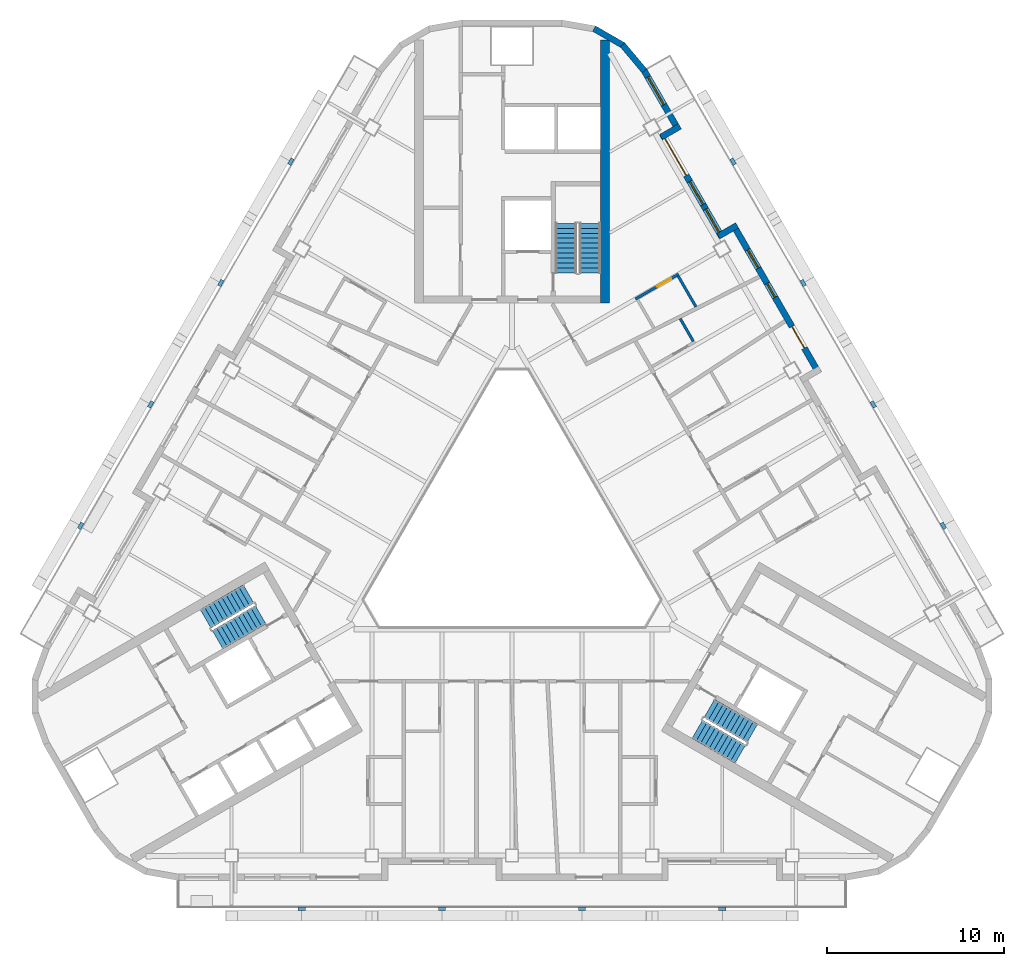
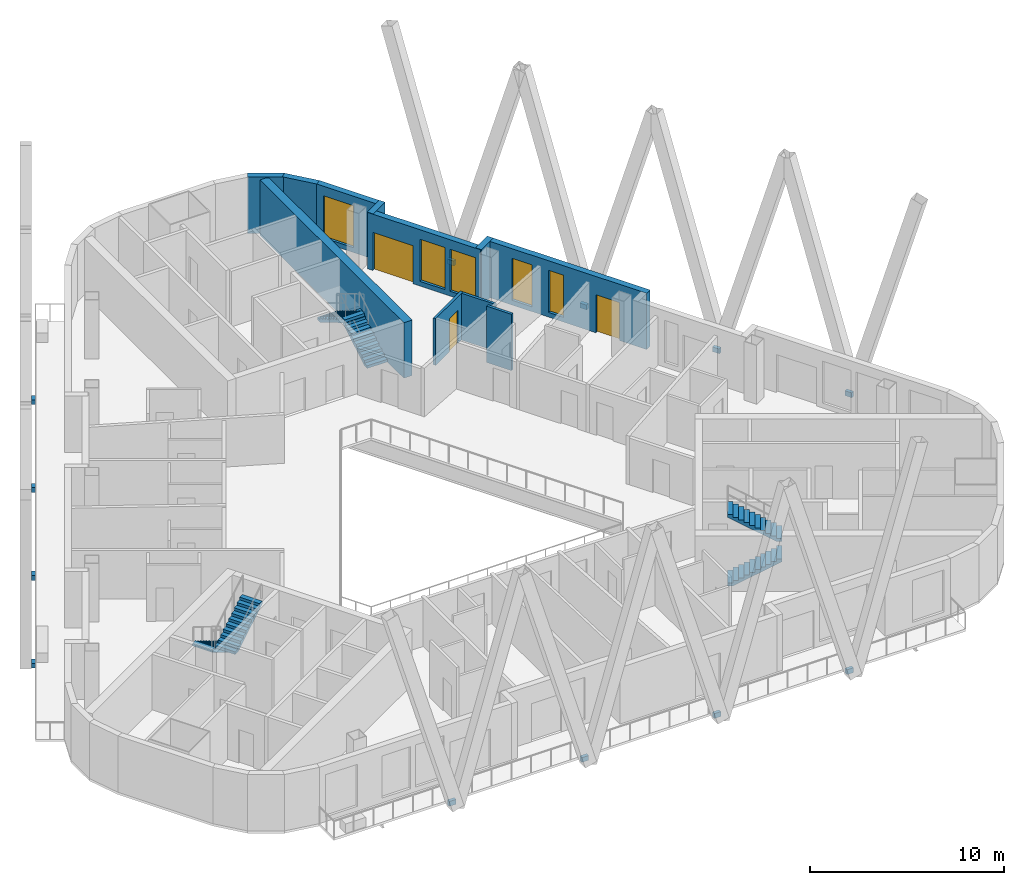
# One storey, part 8 of 14: 12 discrete accessories, 11 walls, 6 stair flights, 5 windows, 3 doors, 8 openings, 3 elements without a shape of their own.
"""IFC4 building model written with IfcOpenShell, lengths in metres."""

import ifcopenshell
import ifcopenshell.guid

model = None  # the IFC model being written
_history = None  # IfcOwnerHistory: only IFC2X3 demands one
_inside = {}  # id of a spatial element -> (the spatial element, [elements in it])
_under = {}  # id of a project, library or spatial element -> (it, [spatial elements below it])
_declared = {}  # id of a project -> (the project, [libraries it declares])
_typed = {}  # id of a type object -> (the type object, [elements of that type])
_made_of = {}  # id of a material, layer set ... -> (it, [elements and type objects made of it])


def new_model(schema):
    """Start an empty IFC model of exactly this schema.

    Asked for "IFC4X3", IfcOpenShell would pick the latest addendum, in which some entities
    have other attributes; the version numbers below select the first issue.
    IFC2X3 requires an IfcOwnerHistory on every rooted entity: one is made here for all.
    """
    global model, _history
    if schema == "IFC4X3":
        model = ifcopenshell.file(schema_version=(4, 3, 0, 0))
    else:
        model = ifcopenshell.file(schema=schema)
    _inside.clear()
    _under.clear()
    _declared.clear()
    _typed.clear()
    _made_of.clear()
    _history = None
    if model.schema == "IFC2X3":
        org = make("IfcOrganization", Name="unknown")
        user = make(
            "IfcPersonAndOrganization",
            ThePerson=make("IfcPerson", FamilyName="unknown"),
            TheOrganization=org,
        )
        app = make(
            "IfcApplication",
            ApplicationDeveloper=org,
            Version="unknown",
            ApplicationFullName="unknown",
            ApplicationIdentifier="unknown",
        )
        _history = make(
            "IfcOwnerHistory",
            OwningUser=user,
            OwningApplication=app,
            ChangeAction="ADDED",
            CreationDate=0,
        )
    return model


def make(cls, **values):
    """One entity of the class cls with the attributes given. An attribute that is None is left unset."""
    return model.create_entity(
        cls, **{name: value for name, value in values.items() if value is not None}
    )


def rooted(cls, **values):
    """An entity with a GlobalId (a new one), such as an element, a storey or a relation."""
    return make(cls, GlobalId=ifcopenshell.guid.new(), OwnerHistory=_history, **values)


def si_unit(unit_type, name, prefix=None):
    """IfcSIUnit, for example si_unit("LENGTHUNIT", "METRE", prefix="MILLI")."""
    return make("IfcSIUnit", UnitType=unit_type, Prefix=prefix, Name=name)


def assignment(units):
    """IfcUnitAssignment: the units of a project."""
    return None if units is None else make("IfcUnitAssignment", Units=units)


def point(xyz):
    """IfcCartesianPoint."""
    return None if xyz is None else make("IfcCartesianPoint", Coordinates=xyz)


def direction(xyz):
    """IfcDirection."""
    return None if xyz is None else make("IfcDirection", DirectionRatios=xyz)


def frame(location, z_axis=None, x_axis=None):
    """IfcAxis2Placement3D, a coordinate frame: its origin and axes. An axis left out is left unset."""
    return make(
        "IfcAxis2Placement3D",
        Location=point(location),
        Axis=direction(z_axis),
        RefDirection=direction(x_axis),
    )


def frame_2d(location, x_axis=None):
    """IfcAxis2Placement2D, a coordinate frame in the plane: its origin and x axis."""
    return make(
        "IfcAxis2Placement2D", Location=point(location), RefDirection=direction(x_axis)
    )


def origin():
    """The frame at (0, 0, 0) with its axes left unset."""
    return frame((0.0, 0.0, 0.0))


def origin_2d():
    """The frame at (0, 0) in the plane with its x axis left unset."""
    return frame_2d((0.0, 0.0))


def place(relative_to, where):
    """IfcLocalPlacement: puts the frame where relative to a parent placement (None: the world)."""
    return make(
        "IfcLocalPlacement", PlacementRelTo=relative_to, RelativePlacement=where
    )


def context(
    kind, dimensions, precision=None, world=None, true_north=None, identifier=None
):
    """IfcGeometricRepresentationContext, for example the 3D "Model" context."""
    return make(
        "IfcGeometricRepresentationContext",
        ContextIdentifier=identifier,
        ContextType=kind,
        CoordinateSpaceDimension=dimensions,
        Precision=precision,
        WorldCoordinateSystem=world,
        TrueNorth=true_north,
    )


def subcontext(parent, identifier, kind, view, scale=None):
    """IfcGeometricRepresentationSubContext, for example "Body" below "Model"."""
    return make(
        "IfcGeometricRepresentationSubContext",
        ContextIdentifier=identifier,
        ContextType=kind,
        ParentContext=parent,
        TargetScale=scale,
        TargetView=view,
    )


def project(units=None, contexts=None):
    """IfcProject with its units and contexts."""
    return rooted(
        "IfcProject",
        Name="project",
        RepresentationContexts=contexts,
        UnitsInContext=assignment(units),
    )


def spatial(cls, under=None, at=None, **own):
    """A site, building, storey or space (cls), placed at a placement, below another one or the project."""
    s = rooted(cls, ObjectPlacement=at, **own)
    if under is not None:
        _under.setdefault(under.id(), (under, []))[1].append(s)
    return s


def polyline(points):
    """IfcPolyline through the points."""
    return make("IfcPolyline", Points=[point(p) for p in points])


def profile(cls, at=None, kind="AREA", **sizes):
    """A parametric profile (cls). Its sizes go by their IFC names, for example OverallWidth=200.0."""
    return make(cls, ProfileType=kind, Position=at, **sizes)


def rectangle(**sizes):
    """IfcRectangleProfileDef."""
    return profile("IfcRectangleProfileDef", **sizes)


def outline(outer, holes=None, kind="AREA"):
    """IfcArbitraryClosedProfileDef: a profile drawn as a closed curve; with holes, ...WithVoids."""
    if holes is None:
        return make("IfcArbitraryClosedProfileDef", ProfileType=kind, OuterCurve=outer)
    return make(
        "IfcArbitraryProfileDefWithVoids",
        ProfileType=kind,
        OuterCurve=outer,
        InnerCurves=holes,
    )


def extrude(swept, where, along, depth):
    """IfcExtrudedAreaSolid: the profile swept, set in the frame where, extruded along a direction by depth."""
    return make(
        "IfcExtrudedAreaSolid",
        SweptArea=swept,
        Position=where,
        ExtrudedDirection=direction(along),
        Depth=depth,
    )


def shape(context_of_items, identifier, shape_type, items):
    """IfcShapeRepresentation: the items that make up one representation, for example the "Body"."""
    return make(
        "IfcShapeRepresentation",
        ContextOfItems=context_of_items,
        RepresentationIdentifier=identifier,
        RepresentationType=shape_type,
        Items=items,
    )


def material(Name=None, Category=None):
    """IfcMaterial."""
    return make("IfcMaterial", Name=Name, Category=Category)


def layer(
    of_material, thickness, ventilated=None, Name=None, Category=None, Priority=None
):
    """IfcMaterialLayer: one layer of a wall or slab, of a material (None: an air gap)."""
    return make(
        "IfcMaterialLayer",
        Material=of_material,
        LayerThickness=thickness,
        IsVentilated=ventilated,
        Name=Name,
        Category=Category,
        Priority=Priority,
    )


def layer_set(layers, Name=None):
    """IfcMaterialLayerSet."""
    return make("IfcMaterialLayerSet", MaterialLayers=layers, LayerSetName=Name)


def made_of(thing, what):
    """Note that an element or type object is made of a material, layer set ...; save() writes the relation."""
    if what is not None:
        _made_of.setdefault(what.id(), (what, []))[1].append(thing)
    return thing


def type_object(cls, material=None, **own):
    """A type object (cls), such as IfcWallType, which elements share."""
    return made_of(rooted(cls, **own), material)


def element(
    cls,
    number,
    at=None,
    inside=None,
    cuts=None,
    type_object=None,
    material=None,
    context=None,
    identifier="Body",
    shape_type=None,
    held_by="IfcProductDefinitionShape",
    body=None,
    shapes=None,
    **own,
):
    """One element of the class cls, such as IfcWall. Its Tag is "e" and its number.

    at: its placement. inside: the storey or other place that contains it. cuts: it is an
    opening in that element (IfcRelVoidsElement). A single representation is given by context,
    identifier, shape_type and body (its items); several are given by shapes. held_by: the class
    of the entity that holds the representations. save() writes the other relations.
    """
    e = rooted(cls, Tag="e%d" % number, ObjectPlacement=at, **own)
    if body is not None:
        shapes = [shape(context, identifier, shape_type, body)]
    if shapes is not None:
        e.Representation = make(held_by, Representations=shapes)
    if inside is not None:
        _inside.setdefault(inside.id(), (inside, []))[1].append(e)
    if cuts is not None:
        rooted(
            "IfcRelVoidsElement", RelatingBuildingElement=cuts, RelatedOpeningElement=e
        )
    if type_object is not None:
        _typed.setdefault(type_object.id(), (type_object, []))[1].append(e)
    return made_of(e, material)


def fill(opening, filler):
    """IfcRelFillsElement: the door or window that sits in an opening."""
    return rooted(
        "IfcRelFillsElement",
        RelatingOpeningElement=opening,
        RelatedBuildingElement=filler,
    )


def aggregate(whole, parts):
    """IfcRelAggregates: a whole, such as a stair, and the parts it consists of."""
    return rooted("IfcRelAggregates", RelatingObject=whole, RelatedObjects=parts)


def save(model, path):
    """Write the relations noted so far, then the file.

    IfcRelAggregates (storeys below a building ...), IfcRelContainedInSpatialStructure (elements
    in a storey), IfcRelDefinesByType, IfcRelAssociatesMaterial and IfcRelDeclares: one each for
    every whole, place, type object, material and project.
    """
    for whole, parts in _under.values():
        aggregate(whole, parts)
    for where, things in _inside.values():
        rooted(
            "IfcRelContainedInSpatialStructure",
            RelatedElements=things,
            RelatingStructure=where,
        )
    for kind, things in _typed.values():
        rooted("IfcRelDefinesByType", RelatedObjects=things, RelatingType=kind)
    for what, things in _made_of.values():
        rooted("IfcRelAssociatesMaterial", RelatedObjects=things, RelatingMaterial=what)
    for by, libraries in _declared.values():
        rooted("IfcRelDeclares", RelatingContext=by, RelatedDefinitions=libraries)
    model.write(path)


model = new_model("IFC4")

# Units and contexts
model_context = context("Model", 3, precision=1e-05, world=origin(), true_north=direction((0.0, 1.0)))
body_context = subcontext(model_context, "Body", "Model", "MODEL_VIEW")
ifc_project = project(units=[si_unit("LENGTHUNIT", "METRE"), si_unit("AREAUNIT", "SQUARE_METRE"), si_unit("VOLUMEUNIT", "CUBIC_METRE"), si_unit("PLANEANGLEUNIT", "RADIAN"), si_unit("MASSUNIT", "GRAM", prefix="KILO")], contexts=[model_context])

# Site, building, storey
site_placement = place(None, origin())
site = spatial("IfcSite", under=ifc_project, at=site_placement, CompositionType="ELEMENT")
building_placement = place(site_placement, origin())
building = spatial("IfcBuilding", under=site, at=building_placement, Name="Apuvela Tower Hotel", CompositionType="ELEMENT")
storey_placement = place(building_placement, frame((0.0, 0.0, 224.300048828125)))
storey = spatial("IfcBuildingStorey", under=building, at=storey_placement, Name="L55", CompositionType="ELEMENT", Elevation=224.300048828125)

# Wall
ifc_material_1 = material(Name="Concrete C50/60", Category="concrete")
ifc_layer_1 = layer(ifc_material_1, 0.5)
ifc_layer_set_1 = layer_set([ifc_layer_1], Name="COR-WALL-CORE-500")
wall_type_1 = type_object("IfcWallType", Name="COR-WALL-CORE-500", PredefinedType="SHEAR", material=ifc_layer_set_1)
wall_1_placement = place(storey_placement, frame((5.25, 12.89990234375, 0.0), z_axis=(0.0, 0.0, 1.0), x_axis=(0.0, 1.0, 0.0)))
element("IfcWall", 1, at=wall_1_placement, inside=storey, type_object=wall_type_1, Name="Core wall N", PredefinedType="SHEAR", context=body_context, shape_type="SweptSolid", body=[
    extrude(rectangle(XDim=14.8369140625, YDim=0.5, at=frame_2d((7.41845703125, 0.0))), origin(), (0.0, 0.0, 1.0), 3.5),
])

# Wall, openings, door, windows
ifc_material_2 = material(Name="Concrete C40/50, dark pigmented precast panel", Category="concrete")
ifc_layer_2 = layer(ifc_material_2, 0.35009765625)
ifc_layer_set_2 = layer_set([ifc_layer_2], Name="ENV-WALL-350")
wall_type_2 = type_object("IfcWallType", Name="ENV-WALL-350", PredefinedType="SOLIDWALL", material=ifc_layer_set_2)
wall_2_placement = place(storey_placement, frame((17.298583984375, 8.947998046875, 0.0), z_axis=(0.0, 0.0, 1.0), x_axis=(-0.500010041276, 0.866019606374, 0.0)))
wall_2 = element("IfcWall", 2, at=wall_2_placement, inside=storey, type_object=wall_type_2, Name="External wall L55-37", PredefinedType="SOLIDWALL", context=body_context, shape_type="SweptSolid", body=[
    extrude(rectangle(XDim=9.699951171875, YDim=0.35009765625, at=frame_2d((4.85009765625, 0.0))), origin(), (0.0, 0.0, 1.0), 3.550048828125),
])
opening_1_placement = place(wall_2_placement, frame((1.63720703125, 0.0, 0.0)))
opening_1 = element("IfcOpeningElement", 3, at=opening_1_placement, cuts=wall_2, Name="Opening BD14", PredefinedType="OPENING", context=body_context, shape_type="SweptSolid", body=[
    extrude(rectangle(XDim=1.39990234375, YDim=2.39990234375, at=frame_2d((0.699951171875, 1.199951171875))), frame((0.0, 0.18505859375, 0.0), z_axis=(0.0, -1.0, 0.0), x_axis=(1.0, 0.0, 0.0)), (0.0, 0.0, 1.0), 0.3701171875),
])
opening_2_placement = place(wall_2_placement, frame((4.94921875, 0.0, 0.300048828125)))
opening_2 = element("IfcOpeningElement", 4, at=opening_2_placement, cuts=wall_2, Name="Opening WN09", PredefinedType="OPENING", context=body_context, shape_type="SweptSolid", body=[
    extrude(rectangle(XDim=0.89990234375, YDim=2.64990234375, at=frame_2d((0.449951171875, 1.324951171875))), frame((0.0, 0.18505859375, 0.0), z_axis=(0.0, -1.0, 0.0), x_axis=(1.0, 0.0, 0.0)), (0.0, 0.0, 1.0), 0.3701171875),
])
opening_3_placement = place(wall_2_placement, frame((6.840087890625, 0.0, 0.300048828125)))
opening_3 = element("IfcOpeningElement", 5, at=opening_3_placement, cuts=wall_2, Name="Opening WN12", PredefinedType="OPENING", context=body_context, shape_type="SweptSolid", body=[
    extrude(rectangle(XDim=1.199951171875, YDim=2.64990234375, at=frame_2d((0.60009765625, 1.324951171875))), frame((0.0, 0.18505859375, 0.0), z_axis=(0.0, -1.0, 0.0), x_axis=(1.0, 0.0, 0.0)), (0.0, 0.0, 1.0), 0.3701171875),
])
ifc_material_3 = material(Name="Aluminium 6063-T6, dark bronze anodised frame with dark tinted laminated glass", Category="aluminium")
door_type_1 = type_object("IfcDoorType", Name="ENV-DOOR-BALCONY-1400x2400", OperationType="SLIDING_TO_LEFT", PredefinedType="DOOR", material=ifc_material_3)
door_1_placement = place(opening_1_placement, frame((1.39990234375, 0.0, 0.0), z_axis=(0.0, 0.0, 1.0), x_axis=(-1.0, 0.0, 0.0)))
door_1 = element("IfcDoor", 6, at=door_1_placement, inside=storey, type_object=door_type_1, Name="Balcony door BD14", OperationType="SLIDING_TO_LEFT", OverallHeight=2.39990234375, OverallWidth=1.39990234375, PredefinedType="DOOR", context=body_context, shape_type="SweptSolid", body=[
    extrude(rectangle(XDim=1.39990234375, YDim=2.39990234375, at=frame_2d((0.699951171875, 1.199951171875))), frame((0.0, 0.02490234375, 0.0), z_axis=(0.0, -1.0, 0.0), x_axis=(1.0, 0.0, 0.0)), (0.0, 0.0, 1.0), 0.050048828125),
])
fill(opening_1, door_1)
ifc_material_4 = material(Name="Glass, dark tinted laminated insulated glazing unit", Category="glass")
window_type_1 = type_object("IfcWindowType", Name="ENV-WIN-1200x2650", PartitioningType="SINGLE_PANEL", PredefinedType="WINDOW", material=ifc_material_4)
window_1_placement = place(opening_3_placement, origin())
window_1 = element("IfcWindow", 7, at=window_1_placement, inside=storey, type_object=window_type_1, Name="Window WN12", OverallHeight=2.64990234375, OverallWidth=1.199951171875, PartitioningType="SINGLE_PANEL", PredefinedType="WINDOW", context=body_context, shape_type="SweptSolid", body=[
    extrude(rectangle(XDim=1.199951171875, YDim=2.64990234375, at=frame_2d((0.60009765625, 1.324951171875))), frame((0.0, 0.030029296875, 0.0), z_axis=(0.0, -1.0, 0.0), x_axis=(1.0, 0.0, 0.0)), (0.0, 0.0, 1.0), 0.06005859375),
])
fill(opening_3, window_1)
window_type_2 = type_object("IfcWindowType", Name="ENV-WIN-900x2650", PartitioningType="SINGLE_PANEL", PredefinedType="WINDOW", material=ifc_material_4)
window_2_placement = place(opening_2_placement, origin())
window_2 = element("IfcWindow", 8, at=window_2_placement, inside=storey, type_object=window_type_2, Name="Window WN09", OverallHeight=2.64990234375, OverallWidth=0.89990234375, PartitioningType="SINGLE_PANEL", PredefinedType="WINDOW", context=body_context, shape_type="SweptSolid", body=[
    extrude(rectangle(XDim=0.89990234375, YDim=2.64990234375, at=frame_2d((0.449951171875, 1.324951171875))), frame((0.0, 0.030029296875, 0.0), z_axis=(0.0, -1.0, 0.0), x_axis=(1.0, 0.0, 0.0)), (0.0, 0.0, 1.0), 0.06005859375),
])
fill(opening_2, window_2)

# Wall
wall_3_placement = place(storey_placement, frame((12.6875, 17.284423828125, 0.0), z_axis=(0.0, 0.0, 1.0), x_axis=(-0.865955602162, -0.500120880472, 0.0)))
element("IfcWall", 9, at=wall_3_placement, inside=storey, type_object=wall_type_2, Name="External wall L55-38", PredefinedType="SOLIDWALL", context=body_context, shape_type="SweptSolid", body=[
    extrude(rectangle(XDim=1.219970703125, YDim=0.35009765625, at=frame_2d((0.60986328125, 0.0))), origin(), (0.0, 0.0, 1.0), 3.550048828125),
])

# Wall, openings, door, windows
wall_4_placement = place(storey_placement, frame((11.8291015625, 16.621337890625, 0.0), z_axis=(0.0, 0.0, 1.0), x_axis=(-0.500003597184, 0.866023326939, 0.0)))
wall_4 = element("IfcWall", 10, at=wall_4_placement, inside=storey, type_object=wall_type_2, Name="External wall L55-39", PredefinedType="SOLIDWALL", context=body_context, shape_type="SweptSolid", body=[
    extrude(rectangle(XDim=6.740234375, YDim=0.35009765625, at=frame_2d((3.3701171875, 0.0))), origin(), (0.0, 0.0, 1.0), 3.550048828125),
])
opening_4_placement = place(wall_4_placement, frame((4.01953125, 0.0, 0.0)))
opening_4 = element("IfcOpeningElement", 11, at=opening_4_placement, cuts=wall_4, Name="Opening BD24", PredefinedType="OPENING", context=body_context, shape_type="SweptSolid", body=[
    extrude(rectangle(XDim=2.39990234375, YDim=2.39990234375, at=frame_2d((1.199951171875, 1.199951171875))), frame((0.0, 0.18505859375, 0.0), z_axis=(0.0, -1.0, 0.0), x_axis=(1.0, 0.0, 0.0)), (0.0, 0.0, 1.0), 0.3701171875),
])
opening_5_placement = place(wall_4_placement, frame((0.320068359375, 0.0, 0.300048828125)))
opening_5 = element("IfcOpeningElement", 12, at=opening_5_placement, cuts=wall_4, Name="Opening WN15", PredefinedType="OPENING", context=body_context, shape_type="SweptSolid", body=[
    extrude(rectangle(XDim=1.5, YDim=2.64990234375, at=frame_2d((0.75, 1.324951171875))), frame((0.0, 0.18505859375, 0.0), z_axis=(0.0, -1.0, 0.0), x_axis=(1.0, 0.0, 0.0)), (0.0, 0.0, 1.0), 0.3701171875),
])
opening_6_placement = place(wall_4_placement, frame((2.1201171875, 0.0, 0.300048828125)))
opening_6 = element("IfcOpeningElement", 13, at=opening_6_placement, cuts=wall_4, Name="Opening WN15", PredefinedType="OPENING", context=body_context, shape_type="SweptSolid", body=[
    extrude(rectangle(XDim=1.5, YDim=2.64990234375, at=frame_2d((0.75, 1.324951171875))), frame((0.0, 0.18505859375, 0.0), z_axis=(0.0, -1.0, 0.0), x_axis=(1.0, 0.0, 0.0)), (0.0, 0.0, 1.0), 0.3701171875),
])
door_type_2 = type_object("IfcDoorType", Name="ENV-DOOR-BALCONY-2400x2400", OperationType="SLIDING_TO_LEFT", PredefinedType="DOOR", material=ifc_material_3)
door_2_placement = place(opening_4_placement, frame((2.39990234375, 0.0, 0.0), z_axis=(0.0, 0.0, 1.0), x_axis=(-1.0, 0.0, 0.0)))
door_2 = element("IfcDoor", 14, at=door_2_placement, inside=storey, type_object=door_type_2, Name="Balcony door BD24", OperationType="SLIDING_TO_LEFT", OverallHeight=2.39990234375, OverallWidth=2.39990234375, PredefinedType="DOOR", context=body_context, shape_type="SweptSolid", body=[
    extrude(rectangle(XDim=2.39990234375, YDim=2.39990234375, at=frame_2d((1.199951171875, 1.199951171875))), frame((0.0, 0.02490234375, 0.0), z_axis=(0.0, -1.0, 0.0), x_axis=(1.0, 0.0, 0.0)), (0.0, 0.0, 1.0), 0.050048828125),
])
fill(opening_4, door_2)
window_type_3 = type_object("IfcWindowType", Name="ENV-WIN-1500x2650", PartitioningType="SINGLE_PANEL", PredefinedType="WINDOW", material=ifc_material_4)
window_3_placement = place(opening_5_placement, origin())
window_3 = element("IfcWindow", 15, at=window_3_placement, inside=storey, type_object=window_type_3, Name="Window WN15", OverallHeight=2.64990234375, OverallWidth=1.5, PartitioningType="SINGLE_PANEL", PredefinedType="WINDOW", context=body_context, shape_type="SweptSolid", body=[
    extrude(rectangle(XDim=1.5, YDim=2.64990234375, at=frame_2d((0.75, 1.324951171875))), frame((0.0, 0.030029296875, 0.0), z_axis=(0.0, -1.0, 0.0), x_axis=(1.0, 0.0, 0.0)), (0.0, 0.0, 1.0), 0.06005859375),
])
fill(opening_5, window_3)
window_4_placement = place(opening_6_placement, origin())
window_4 = element("IfcWindow", 16, at=window_4_placement, inside=storey, type_object=window_type_3, Name="Window WN15", OverallHeight=2.64990234375, OverallWidth=1.5, PartitioningType="SINGLE_PANEL", PredefinedType="WINDOW", context=body_context, shape_type="SweptSolid", body=[
    extrude(rectangle(XDim=1.5, YDim=2.64990234375, at=frame_2d((0.75, 1.324951171875))), frame((0.0, 0.030029296875, 0.0), z_axis=(0.0, -1.0, 0.0), x_axis=(1.0, 0.0, 0.0)), (0.0, 0.0, 1.0), 0.06005859375),
])
fill(opening_6, window_4)

# Wall
wall_5_placement = place(storey_placement, frame((8.406005859375, 22.26025390625, 0.0), z_axis=(0.0, 0.0, 1.0), x_axis=(0.865955602162, 0.500120880472, 0.0)))
element("IfcWall", 17, at=wall_5_placement, inside=storey, type_object=wall_type_2, Name="External wall L55-40", PredefinedType="SOLIDWALL", context=body_context, shape_type="SweptSolid", body=[
    extrude(rectangle(XDim=1.219970703125, YDim=0.35009765625, at=frame_2d((0.60986328125, 0.0))), origin(), (0.0, 0.0, 1.0), 3.550048828125),
])

# Wall, opening, window
wall_6_placement = place(storey_placement, frame((9.3984375, 22.631103515625, 0.0), z_axis=(0.0, 0.0, 1.0), x_axis=(-0.499954521343, 0.866051659307, 0.0)))
wall_6 = element("IfcWall", 18, at=wall_6_placement, inside=storey, type_object=wall_type_2, Name="External wall L55-41", PredefinedType="SOLIDWALL", context=body_context, shape_type="SweptSolid", body=[
    extrude(rectangle(XDim=3.915771484375, YDim=0.35009765625, at=frame_2d((1.9580078125, 0.0))), origin(), (0.0, 0.0, 1.0), 3.550048828125),
])
opening_7_placement = place(wall_6_placement, frame((1.67626953125, 0.0, 0.300048828125)))
opening_7 = element("IfcOpeningElement", 19, at=opening_7_placement, cuts=wall_6, Name="Opening WN18", PredefinedType="OPENING", context=body_context, shape_type="SweptSolid", body=[
    extrude(rectangle(XDim=1.800048828125, YDim=2.64990234375, at=frame_2d((0.89990234375, 1.324951171875))), frame((0.0, 0.18505859375, 0.0), z_axis=(0.0, -1.0, 0.0), x_axis=(1.0, 0.0, 0.0)), (0.0, 0.0, 1.0), 0.3701171875),
])
window_type_4 = type_object("IfcWindowType", Name="ENV-WIN-1800x2650", PartitioningType="SINGLE_PANEL", PredefinedType="WINDOW", material=ifc_material_4)
window_5_placement = place(opening_7_placement, origin())
window_5 = element("IfcWindow", 20, at=window_5_placement, inside=storey, type_object=window_type_4, Name="Window WN18", OverallHeight=2.64990234375, OverallWidth=1.800048828125, PartitioningType="SINGLE_PANEL", PredefinedType="WINDOW", context=body_context, shape_type="SweptSolid", body=[
    extrude(rectangle(XDim=1.800048828125, YDim=2.64990234375, at=frame_2d((0.89990234375, 1.324951171875))), frame((0.0, 0.030029296875, 0.0), z_axis=(0.0, -1.0, 0.0), x_axis=(1.0, 0.0, 0.0)), (0.0, 0.0, 1.0), 0.06005859375),
])
fill(opening_7, window_5)

# Walls
wall_7_placement = place(storey_placement, frame((7.4580078125, 25.99755859375, 0.0), z_axis=(0.0, 0.0, 1.0), x_axis=(-0.642808304945, 0.766027077259, 0.0)))
element("IfcWall", 21, at=wall_7_placement, inside=storey, type_object=wall_type_2, Name="External wall L55-42", PredefinedType="SOLIDWALL", context=body_context, shape_type="SweptSolid", body=[
    extrude(rectangle(XDim=1.909912109375, YDim=0.35009765625, at=frame_2d((0.955078125, 0.0))), origin(), (0.0, 0.0, 1.0), 3.550048828125),
])
wall_8_placement = place(storey_placement, frame((6.27685546875, 27.421630859375, 0.0), z_axis=(0.0, 0.0, 1.0), x_axis=(-0.866032345022, 0.499987977232, 0.0)))
element("IfcWall", 22, at=wall_8_placement, inside=storey, type_object=wall_type_2, Name="External wall L55-43", PredefinedType="SOLIDWALL", context=body_context, shape_type="SweptSolid", body=[
    extrude(rectangle(XDim=1.91015625, YDim=0.35009765625, at=frame_2d((0.955078125, 0.0))), origin(), (0.0, 0.0, 1.0), 3.550048828125),
])
ifc_material_5 = material(Name="Moisture-resistant gypsum board wet wall on steel stud", Category="steel")
ifc_layer_3 = layer(ifc_material_5, 0.14990234375)
ifc_layer_set_3 = layer_set([ifc_layer_3], Name="GST-PW3")
wall_type_3 = type_object("IfcWallType", Name="GST-PW3", PredefinedType="PARTITIONING", material=ifc_layer_set_3)
wall_9_placement = place(storey_placement, frame((10.21630859375, 10.7548828125, 0.0), z_axis=(0.0, 0.0, 1.0), x_axis=(-0.50001473959, 0.866016893711, 0.0)))
element("IfcWall", 23, at=wall_9_placement, inside=storey, type_object=wall_type_3, Name="L55 partition 42", PredefinedType="PARTITIONING", context=body_context, shape_type="SweptSolid", body=[
    extrude(rectangle(XDim=1.47021484375, YDim=0.14990234375, at=frame_2d((0.735107421875, 0.0))), origin(), (0.0, 0.0, 1.0), 3.550048828125),
])

# Wall, opening, door
wall_10_placement = place(storey_placement, frame((9.39013671875, 14.53564453125, 0.0), z_axis=(0.0, 0.0, 1.0), x_axis=(-0.866034573852, -0.49998411664, 0.0)))
wall_10 = element("IfcWall", 24, at=wall_10_placement, inside=storey, type_object=wall_type_3, Name="L55 partition 44", PredefinedType="PARTITIONING", context=body_context, shape_type="SweptSolid", body=[
    extrude(rectangle(XDim=2.7998046875, YDim=0.14990234375, at=frame_2d((1.39990234375, 0.0))), origin(), (0.0, 0.0, 1.0), 2.949951171875),
])
opening_8_placement = place(wall_10_placement, frame((0.5, 0.0, 0.0)))
opening_8 = element("IfcOpeningElement", 25, at=opening_8_placement, cuts=wall_10, Name="Opening GD22-19", PredefinedType="OPENING", context=body_context, shape_type="SweptSolid", body=[
    extrude(rectangle(XDim=0.89990234375, YDim=2.10009765625, at=frame_2d((0.449951171875, 1.050048828125))), frame((0.0, 0.0849609375, 0.0), z_axis=(0.0, -1.0, 0.0), x_axis=(1.0, 0.0, 0.0)), (0.0, 0.0, 1.0), 0.169921875),
])
ifc_material_6 = material(Name="Timber door leaf in steel frame", Category="steel")
door_type_3 = type_object("IfcDoorType", Name="GST-D2", OperationType="NOTDEFINED", PredefinedType="DOOR", material=ifc_material_6)
door_3_placement = place(opening_8_placement, origin())
door_3 = element("IfcDoor", 26, at=door_3_placement, inside=storey, type_object=door_type_3, Name="Door L55-19", OperationType="SINGLE_SWING_LEFT", OverallHeight=2.10009765625, OverallWidth=0.89990234375, PredefinedType="DOOR", context=body_context, shape_type="SweptSolid", body=[
    extrude(rectangle(XDim=0.89990234375, YDim=2.10009765625, at=frame_2d((0.449951171875, 1.050048828125))), frame((0.0, 0.02490234375, 0.0), z_axis=(0.0, -1.0, 0.0), x_axis=(1.0, 0.0, 0.0)), (0.0, 0.0, 1.0), 0.050048828125),
])
fill(opening_8, door_3)

# Wall
wall_11_placement = place(storey_placement, frame((10.364990234375, 12.697509765625, 0.0), z_axis=(0.0, 0.0, 1.0), x_axis=(-0.500056363668, 0.86599285976, 0.0)))
element("IfcWall", 27, at=wall_11_placement, inside=storey, type_object=wall_type_3, Name="L55 partition 45", PredefinedType="PARTITIONING", context=body_context, shape_type="SweptSolid", body=[
    extrude(rectangle(XDim=2.004150390625, YDim=0.14990234375, at=frame_2d((1.001953125, 0.0))), origin(), (0.0, 0.0, 1.0), 2.949951171875),
])

# Stair, stair flights
stair_type = type_object("IfcStairType", Name="COR-STAIR-22R", PredefinedType="HALF_TURN_STAIR", material=ifc_material_1)
stair_1_placement = place(storey_placement, origin())
stair_1 = element("IfcStair", 28, at=stair_1_placement, inside=storey, type_object=stair_type, Name="L55 Exit stair ST1", PredefinedType="HALF_TURN_STAIR")
stair_flight_type = type_object("IfcStairFlightType", Name="COR-FLIGHT-11R", PredefinedType="STRAIGHT", material=ifc_material_1)
stair_flight_1_placement = place(storey_placement, frame((4.39990234375, 14.60009765625, 0.0), z_axis=(0.0, 0.0, 1.0), x_axis=(0.0, 1.0, 0.0)))
stair_flight_1 = element("IfcStairFlight", 29, at=stair_flight_1_placement, type_object=stair_flight_type, Name="ST1 flight 1", NumberOfRisers=11, NumberOfTreads=10, PredefinedType="STRAIGHT", RiserHeight=0.168181818, TreadLength=0.28, context=body_context, shape_type="SweptSolid", body=[
    extrude(outline(polyline([(0.0, 0.0), (0.0, 0.168212890625), (0.280029296875, 0.168212890625), (0.280029296875, 0.33642578125), (0.56005859375, 0.33642578125), (0.56005859375, 0.504638671875), (0.840087890625, 0.504638671875), (0.840087890625, 0.672607421875), (1.1201171875, 0.672607421875), (1.1201171875, 0.8408203125), (1.39990234375, 0.8408203125), (1.39990234375, 1.009033203125), (1.679931640625, 1.009033203125), (1.679931640625, 1.17724609375), (1.9599609375, 1.17724609375), (1.9599609375, 1.345458984375), (2.239990234375, 1.345458984375), (2.239990234375, 1.513671875), (2.52001953125, 1.513671875), (2.52001953125, 1.681884765625), (2.800048828125, 1.681884765625), (2.800048828125, 1.85009765625), (2.800048828125, 1.5068359375), (0.291015625, 0.0), (0.0, 0.0)])), frame((0.0, 0.60009765625, 0.0), z_axis=(0.0, -1.0, 0.0), x_axis=(1.0, 0.0, 0.0)), (0.0, 0.0, 1.0), 1.199951171875),
])
stair_flight_2_placement = place(storey_placement, frame((3.050048828125, 17.39990234375, 1.849853515625), z_axis=(0.0, 0.0, 1.0), x_axis=(0.0, -1.0, 0.0)))
stair_flight_2 = element("IfcStairFlight", 30, at=stair_flight_2_placement, type_object=stair_flight_type, Name="ST1 flight 2", NumberOfRisers=11, NumberOfTreads=10, PredefinedType="STRAIGHT", RiserHeight=0.168181818, TreadLength=0.28, context=body_context, shape_type="SweptSolid", body=[
    extrude(outline(polyline([(0.0, 0.0), (0.0, 0.168212890625), (0.280029296875, 0.168212890625), (0.280029296875, 0.33642578125), (0.56005859375, 0.33642578125), (0.56005859375, 0.504638671875), (0.840087890625, 0.504638671875), (0.840087890625, 0.672607421875), (1.1201171875, 0.672607421875), (1.1201171875, 0.8408203125), (1.39990234375, 0.8408203125), (1.39990234375, 1.009033203125), (1.679931640625, 1.009033203125), (1.679931640625, 1.17724609375), (1.9599609375, 1.17724609375), (1.9599609375, 1.345458984375), (2.239990234375, 1.345458984375), (2.239990234375, 1.513671875), (2.52001953125, 1.513671875), (2.52001953125, 1.681884765625), (2.800048828125, 1.681884765625), (2.800048828125, 1.85009765625), (2.800048828125, 1.5068359375), (0.291015625, 0.0), (0.0, 0.0)])), frame((0.0, 0.60009765625, 0.0), z_axis=(0.0, -1.0, 0.0), x_axis=(1.0, 0.0, 0.0)), (0.0, 0.0, 1.0), 1.199951171875),
])
aggregate(stair_1, [stair_flight_1, stair_flight_2])

stair_2_placement = place(storey_placement, origin())
stair_2 = element("IfcStair", 31, at=stair_2_placement, inside=storey, type_object=stair_type, Name="L55 Exit stair ST2", PredefinedType="HALF_TURN_STAIR")
stair_flight_3_placement = place(storey_placement, frame((-14.843994140625, -3.489501953125, 0.0), z_axis=(0.0, 0.0, 1.0), x_axis=(-0.866025403784, -0.5, 0.0)))
stair_flight_3 = element("IfcStairFlight", 32, at=stair_flight_3_placement, type_object=stair_flight_type, Name="ST2 flight 1", NumberOfRisers=11, NumberOfTreads=10, PredefinedType="STRAIGHT", RiserHeight=0.168181818, TreadLength=0.28, context=body_context, shape_type="SweptSolid", body=[
    extrude(outline(polyline([(0.0, 0.0), (0.0, 0.168212890625), (0.280029296875, 0.168212890625), (0.280029296875, 0.33642578125), (0.56005859375, 0.33642578125), (0.56005859375, 0.504638671875), (0.840087890625, 0.504638671875), (0.840087890625, 0.672607421875), (1.1201171875, 0.672607421875), (1.1201171875, 0.8408203125), (1.39990234375, 0.8408203125), (1.39990234375, 1.009033203125), (1.679931640625, 1.009033203125), (1.679931640625, 1.17724609375), (1.9599609375, 1.17724609375), (1.9599609375, 1.345458984375), (2.239990234375, 1.345458984375), (2.239990234375, 1.513671875), (2.52001953125, 1.513671875), (2.52001953125, 1.681884765625), (2.800048828125, 1.681884765625), (2.800048828125, 1.85009765625), (2.800048828125, 1.5068359375), (0.291015625, 0.0), (0.0, 0.0)])), frame((0.0, 0.60009765625, 0.0), z_axis=(0.0, -1.0, 0.0), x_axis=(1.0, 0.0, 0.0)), (0.0, 0.0, 1.0), 1.199951171875),
])
stair_flight_4_placement = place(storey_placement, frame((-16.59375, -6.05859375, 1.849853515625), z_axis=(0.0, 0.0, 1.0), x_axis=(0.866025403784, 0.5, 0.0)))
stair_flight_4 = element("IfcStairFlight", 33, at=stair_flight_4_placement, type_object=stair_flight_type, Name="ST2 flight 2", NumberOfRisers=11, NumberOfTreads=10, PredefinedType="STRAIGHT", RiserHeight=0.168181818, TreadLength=0.28, context=body_context, shape_type="SweptSolid", body=[
    extrude(outline(polyline([(0.0, 0.0), (0.0, 0.168212890625), (0.280029296875, 0.168212890625), (0.280029296875, 0.33642578125), (0.56005859375, 0.33642578125), (0.56005859375, 0.504638671875), (0.840087890625, 0.504638671875), (0.840087890625, 0.672607421875), (1.1201171875, 0.672607421875), (1.1201171875, 0.8408203125), (1.39990234375, 0.8408203125), (1.39990234375, 1.009033203125), (1.679931640625, 1.009033203125), (1.679931640625, 1.17724609375), (1.9599609375, 1.17724609375), (1.9599609375, 1.345458984375), (2.239990234375, 1.345458984375), (2.239990234375, 1.513671875), (2.52001953125, 1.513671875), (2.52001953125, 1.681884765625), (2.800048828125, 1.681884765625), (2.800048828125, 1.85009765625), (2.800048828125, 1.5068359375), (0.291015625, 0.0), (0.0, 0.0)])), frame((0.0, 0.60009765625, 0.0), z_axis=(0.0, -1.0, 0.0), x_axis=(1.0, 0.0, 0.0)), (0.0, 0.0, 1.0), 1.199951171875),
])
aggregate(stair_2, [stair_flight_3, stair_flight_4])

stair_3_placement = place(storey_placement, origin())
stair_3 = element("IfcStair", 34, at=stair_3_placement, inside=storey, type_object=stair_type, Name="L55 Exit stair ST3", PredefinedType="HALF_TURN_STAIR")
stair_flight_5_placement = place(storey_placement, frame((10.444091796875, -11.110595703125, 0.0), z_axis=(0.0, 0.0, 1.0), x_axis=(0.866025403784, -0.5, 0.0)))
stair_flight_5 = element("IfcStairFlight", 35, at=stair_flight_5_placement, type_object=stair_flight_type, Name="ST3 flight 1", NumberOfRisers=11, NumberOfTreads=10, PredefinedType="STRAIGHT", RiserHeight=0.168181818, TreadLength=0.28, context=body_context, shape_type="SweptSolid", body=[
    extrude(outline(polyline([(0.0, 0.0), (0.0, 0.168212890625), (0.280029296875, 0.168212890625), (0.280029296875, 0.33642578125), (0.56005859375, 0.33642578125), (0.56005859375, 0.504638671875), (0.840087890625, 0.504638671875), (0.840087890625, 0.672607421875), (1.1201171875, 0.672607421875), (1.1201171875, 0.8408203125), (1.39990234375, 0.8408203125), (1.39990234375, 1.009033203125), (1.679931640625, 1.009033203125), (1.679931640625, 1.17724609375), (1.9599609375, 1.17724609375), (1.9599609375, 1.345458984375), (2.239990234375, 1.345458984375), (2.239990234375, 1.513671875), (2.52001953125, 1.513671875), (2.52001953125, 1.681884765625), (2.800048828125, 1.681884765625), (2.800048828125, 1.85009765625), (2.800048828125, 1.5068359375), (0.291015625, 0.0), (0.0, 0.0)])), frame((0.0, 0.60009765625, 0.0), z_axis=(0.0, -1.0, 0.0), x_axis=(1.0, 0.0, 0.0)), (0.0, 0.0, 1.0), 1.199951171875),
])
stair_flight_6_placement = place(storey_placement, frame((13.5439453125, -11.34130859375, 1.849853515625), z_axis=(0.0, 0.0, 1.0), x_axis=(-0.866025403784, 0.5, 0.0)))
stair_flight_6 = element("IfcStairFlight", 36, at=stair_flight_6_placement, type_object=stair_flight_type, Name="ST3 flight 2", NumberOfRisers=11, NumberOfTreads=10, PredefinedType="STRAIGHT", RiserHeight=0.168181818, TreadLength=0.28, context=body_context, shape_type="SweptSolid", body=[
    extrude(outline(polyline([(0.0, 0.0), (0.0, 0.168212890625), (0.280029296875, 0.168212890625), (0.280029296875, 0.33642578125), (0.56005859375, 0.33642578125), (0.56005859375, 0.504638671875), (0.840087890625, 0.504638671875), (0.840087890625, 0.672607421875), (1.1201171875, 0.672607421875), (1.1201171875, 0.8408203125), (1.39990234375, 0.8408203125), (1.39990234375, 1.009033203125), (1.679931640625, 1.009033203125), (1.679931640625, 1.17724609375), (1.9599609375, 1.17724609375), (1.9599609375, 1.345458984375), (2.239990234375, 1.345458984375), (2.239990234375, 1.513671875), (2.52001953125, 1.513671875), (2.52001953125, 1.681884765625), (2.800048828125, 1.681884765625), (2.800048828125, 1.85009765625), (2.800048828125, 1.5068359375), (0.291015625, 0.0), (0.0, 0.0)])), frame((0.0, 0.60009765625, 0.0), z_axis=(0.0, -1.0, 0.0), x_axis=(1.0, 0.0, 0.0)), (0.0, 0.0, 1.0), 1.199951171875),
])
aggregate(stair_3, [stair_flight_5, stair_flight_6])

# Discrete accessories
ifc_material_7 = material(Name="Steel S355, black paint system", Category="steel")
discrete_accessory_type = type_object("IfcDiscreteAccessoryType", Name="ENV-FIN-BRACKET", PredefinedType="BRACKET", material=ifc_material_7)
for number, where, z_axis, x_axis, name in (
    (37, (24.310791015625, 0.3525390625, -0.25), (0.0, 0.0, 1.0), (-0.5, 0.866025403784, 0.0), "Fin bracket NE101"),
    (38, (20.360595703125, 7.194091796875, -0.25), (0.0, 0.0, 1.0), (-0.5, 0.866025403784, 0.0), "Fin bracket NE102"),
    (39, (16.41064453125, 14.035888671875, -0.25), (0.0, 0.0, 1.0), (-0.5, 0.866025403784, 0.0), "Fin bracket NE103"),
    (40, (12.460693359375, 20.87744140625, -0.25), (0.0, 0.0, 1.0), (-0.5, 0.866025403784, 0.0), "Fin bracket NE104"),
    (41, (-12.460693359375, 20.87744140625, -0.25), (0.0, 0.0, 1.0), (-0.5, -0.866025403784, 0.0), "Fin bracket NW250"),
    (42, (-16.41064453125, 14.035888671875, -0.25), (0.0, 0.0, 1.0), (-0.5, -0.866025403784, 0.0), "Fin bracket NW251"),
    (43, (-20.360595703125, 7.194091796875, -0.25), (0.0, 0.0, 1.0), (-0.5, -0.866025403784, 0.0), "Fin bracket NW252"),
    (44, (-24.310791015625, 0.3525390625, -0.25), (0.0, 0.0, 1.0), (-0.5, -0.866025403784, 0.0), "Fin bracket NW253"),
    (45, (-11.85009765625, -21.22998046875, -0.25), (0.0, 0.0, 1.0), (1.0, 0.0, 0.0), "Fin bracket S400"),
    (46, (-3.949951171875, -21.22998046875, -0.25), (0.0, 0.0, 1.0), (1.0, 0.0, 0.0), "Fin bracket S401"),
    (47, (3.949951171875, -21.22998046875, -0.25), (0.0, 0.0, 1.0), (1.0, 0.0, 0.0), "Fin bracket S402"),
    (48, (11.85009765625, -21.22998046875, -0.25), (0.0, 0.0, 1.0), (1.0, 0.0, 0.0), "Fin bracket S403"),
):
    element("IfcDiscreteAccessory", number, at=place(storey_placement, frame(where, z_axis=z_axis, x_axis=x_axis)), inside=storey, type_object=discrete_accessory_type, Name=name, PredefinedType="BRACKET", context=body_context, shape_type="SweptSolid", body=[
        extrude(rectangle(XDim=0.39990234375, YDim=0.199951171875, at=origin_2d()), origin(), (0.0, 0.0, 1.0), 0.300048828125),
    ])

save(model, "model.ifc")
